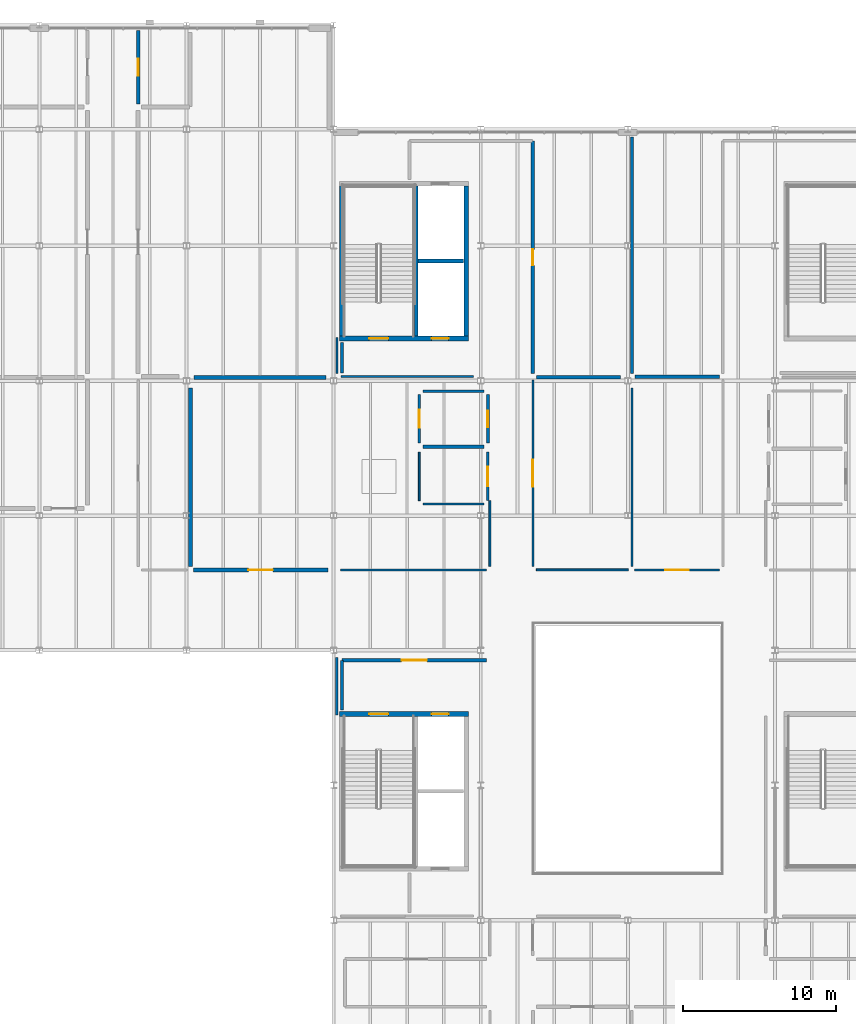
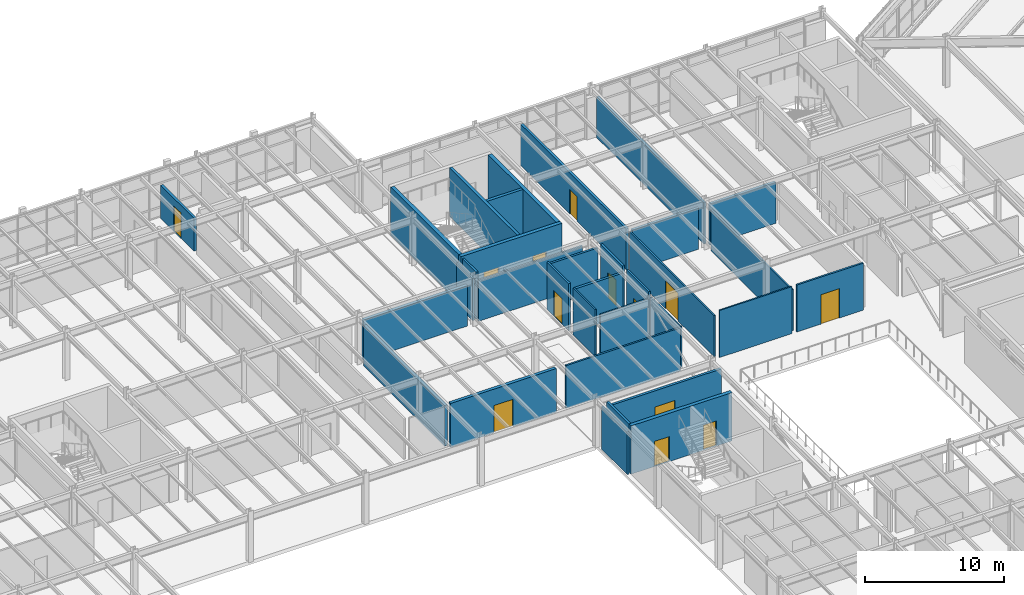
# One storey, part 60 of 77: 33 walls, 13 doors, 13 openings.
"""IFC4 building model written with IfcOpenShell, lengths in metres."""

import ifcopenshell
import ifcopenshell.guid

model = None  # the IFC model being written
_history = None  # IfcOwnerHistory: only IFC2X3 demands one
_inside = {}  # id of a spatial element -> (the spatial element, [elements in it])
_under = {}  # id of a project, library or spatial element -> (it, [spatial elements below it])
_declared = {}  # id of a project -> (the project, [libraries it declares])
_typed = {}  # id of a type object -> (the type object, [elements of that type])
_made_of = {}  # id of a material, layer set ... -> (it, [elements and type objects made of it])


def new_model(schema):
    """Start an empty IFC model of exactly this schema.

    Asked for "IFC4X3", IfcOpenShell would pick the latest addendum, in which some entities
    have other attributes; the version numbers below select the first issue.
    IFC2X3 requires an IfcOwnerHistory on every rooted entity: one is made here for all.
    """
    global model, _history
    if schema == "IFC4X3":
        model = ifcopenshell.file(schema_version=(4, 3, 0, 0))
    else:
        model = ifcopenshell.file(schema=schema)
    _inside.clear()
    _under.clear()
    _declared.clear()
    _typed.clear()
    _made_of.clear()
    _history = None
    if model.schema == "IFC2X3":
        org = make("IfcOrganization", Name="unknown")
        user = make(
            "IfcPersonAndOrganization",
            ThePerson=make("IfcPerson", FamilyName="unknown"),
            TheOrganization=org,
        )
        app = make(
            "IfcApplication",
            ApplicationDeveloper=org,
            Version="unknown",
            ApplicationFullName="unknown",
            ApplicationIdentifier="unknown",
        )
        _history = make(
            "IfcOwnerHistory",
            OwningUser=user,
            OwningApplication=app,
            ChangeAction="ADDED",
            CreationDate=0,
        )
    return model


def make(cls, **values):
    """One entity of the class cls with the attributes given. An attribute that is None is left unset."""
    return model.create_entity(
        cls, **{name: value for name, value in values.items() if value is not None}
    )


def rooted(cls, **values):
    """An entity with a GlobalId (a new one), such as an element, a storey or a relation."""
    return make(cls, GlobalId=ifcopenshell.guid.new(), OwnerHistory=_history, **values)


def si_unit(unit_type, name, prefix=None):
    """IfcSIUnit, for example si_unit("LENGTHUNIT", "METRE", prefix="MILLI")."""
    return make("IfcSIUnit", UnitType=unit_type, Prefix=prefix, Name=name)


def assignment(units):
    """IfcUnitAssignment: the units of a project."""
    return None if units is None else make("IfcUnitAssignment", Units=units)


def point(xyz):
    """IfcCartesianPoint."""
    return None if xyz is None else make("IfcCartesianPoint", Coordinates=xyz)


def direction(xyz):
    """IfcDirection."""
    return None if xyz is None else make("IfcDirection", DirectionRatios=xyz)


def frame(location, z_axis=None, x_axis=None):
    """IfcAxis2Placement3D, a coordinate frame: its origin and axes. An axis left out is left unset."""
    return make(
        "IfcAxis2Placement3D",
        Location=point(location),
        Axis=direction(z_axis),
        RefDirection=direction(x_axis),
    )


def frame_2d(location, x_axis=None):
    """IfcAxis2Placement2D, a coordinate frame in the plane: its origin and x axis."""
    return make(
        "IfcAxis2Placement2D", Location=point(location), RefDirection=direction(x_axis)
    )


def origin():
    """The frame at (0, 0, 0) with its axes left unset."""
    return frame((0.0, 0.0, 0.0))


def place(relative_to, where):
    """IfcLocalPlacement: puts the frame where relative to a parent placement (None: the world)."""
    return make(
        "IfcLocalPlacement", PlacementRelTo=relative_to, RelativePlacement=where
    )


def context(
    kind, dimensions, precision=None, world=None, true_north=None, identifier=None
):
    """IfcGeometricRepresentationContext, for example the 3D "Model" context."""
    return make(
        "IfcGeometricRepresentationContext",
        ContextIdentifier=identifier,
        ContextType=kind,
        CoordinateSpaceDimension=dimensions,
        Precision=precision,
        WorldCoordinateSystem=world,
        TrueNorth=true_north,
    )


def subcontext(parent, identifier, kind, view, scale=None):
    """IfcGeometricRepresentationSubContext, for example "Body" below "Model"."""
    return make(
        "IfcGeometricRepresentationSubContext",
        ContextIdentifier=identifier,
        ContextType=kind,
        ParentContext=parent,
        TargetScale=scale,
        TargetView=view,
    )


def project(units=None, contexts=None):
    """IfcProject with its units and contexts."""
    return rooted(
        "IfcProject",
        Name="project",
        RepresentationContexts=contexts,
        UnitsInContext=assignment(units),
    )


def spatial(cls, under=None, at=None, **own):
    """A site, building, storey or space (cls), placed at a placement, below another one or the project."""
    s = rooted(cls, ObjectPlacement=at, **own)
    if under is not None:
        _under.setdefault(under.id(), (under, []))[1].append(s)
    return s


def profile(cls, at=None, kind="AREA", **sizes):
    """A parametric profile (cls). Its sizes go by their IFC names, for example OverallWidth=200.0."""
    return make(cls, ProfileType=kind, Position=at, **sizes)


def rectangle(**sizes):
    """IfcRectangleProfileDef."""
    return profile("IfcRectangleProfileDef", **sizes)


def extrude(swept, where, along, depth):
    """IfcExtrudedAreaSolid: the profile swept, set in the frame where, extruded along a direction by depth."""
    return make(
        "IfcExtrudedAreaSolid",
        SweptArea=swept,
        Position=where,
        ExtrudedDirection=direction(along),
        Depth=depth,
    )


def shape(context_of_items, identifier, shape_type, items):
    """IfcShapeRepresentation: the items that make up one representation, for example the "Body"."""
    return make(
        "IfcShapeRepresentation",
        ContextOfItems=context_of_items,
        RepresentationIdentifier=identifier,
        RepresentationType=shape_type,
        Items=items,
    )


def material(Name=None, Category=None):
    """IfcMaterial."""
    return make("IfcMaterial", Name=Name, Category=Category)


def layer(
    of_material, thickness, ventilated=None, Name=None, Category=None, Priority=None
):
    """IfcMaterialLayer: one layer of a wall or slab, of a material (None: an air gap)."""
    return make(
        "IfcMaterialLayer",
        Material=of_material,
        LayerThickness=thickness,
        IsVentilated=ventilated,
        Name=Name,
        Category=Category,
        Priority=Priority,
    )


def layer_set(layers, Name=None):
    """IfcMaterialLayerSet."""
    return make("IfcMaterialLayerSet", MaterialLayers=layers, LayerSetName=Name)


def made_of(thing, what):
    """Note that an element or type object is made of a material, layer set ...; save() writes the relation."""
    if what is not None:
        _made_of.setdefault(what.id(), (what, []))[1].append(thing)
    return thing


def type_object(cls, material=None, **own):
    """A type object (cls), such as IfcWallType, which elements share."""
    return made_of(rooted(cls, **own), material)


def element(
    cls,
    number,
    at=None,
    inside=None,
    cuts=None,
    type_object=None,
    material=None,
    context=None,
    identifier="Body",
    shape_type=None,
    held_by="IfcProductDefinitionShape",
    body=None,
    shapes=None,
    **own,
):
    """One element of the class cls, such as IfcWall. Its Tag is "e" and its number.

    at: its placement. inside: the storey or other place that contains it. cuts: it is an
    opening in that element (IfcRelVoidsElement). A single representation is given by context,
    identifier, shape_type and body (its items); several are given by shapes. held_by: the class
    of the entity that holds the representations. save() writes the other relations.
    """
    e = rooted(cls, Tag="e%d" % number, ObjectPlacement=at, **own)
    if body is not None:
        shapes = [shape(context, identifier, shape_type, body)]
    if shapes is not None:
        e.Representation = make(held_by, Representations=shapes)
    if inside is not None:
        _inside.setdefault(inside.id(), (inside, []))[1].append(e)
    if cuts is not None:
        rooted(
            "IfcRelVoidsElement", RelatingBuildingElement=cuts, RelatedOpeningElement=e
        )
    if type_object is not None:
        _typed.setdefault(type_object.id(), (type_object, []))[1].append(e)
    return made_of(e, material)


def fill(opening, filler):
    """IfcRelFillsElement: the door or window that sits in an opening."""
    return rooted(
        "IfcRelFillsElement",
        RelatingOpeningElement=opening,
        RelatedBuildingElement=filler,
    )


def aggregate(whole, parts):
    """IfcRelAggregates: a whole, such as a stair, and the parts it consists of."""
    return rooted("IfcRelAggregates", RelatingObject=whole, RelatedObjects=parts)


def save(model, path):
    """Write the relations noted so far, then the file.

    IfcRelAggregates (storeys below a building ...), IfcRelContainedInSpatialStructure (elements
    in a storey), IfcRelDefinesByType, IfcRelAssociatesMaterial and IfcRelDeclares: one each for
    every whole, place, type object, material and project.
    """
    for whole, parts in _under.values():
        aggregate(whole, parts)
    for where, things in _inside.values():
        rooted(
            "IfcRelContainedInSpatialStructure",
            RelatedElements=things,
            RelatingStructure=where,
        )
    for kind, things in _typed.values():
        rooted("IfcRelDefinesByType", RelatedObjects=things, RelatingType=kind)
    for what, things in _made_of.values():
        rooted("IfcRelAssociatesMaterial", RelatedObjects=things, RelatingMaterial=what)
    for by, libraries in _declared.values():
        rooted("IfcRelDeclares", RelatingContext=by, RelatedDefinitions=libraries)
    model.write(path)


model = new_model("IFC4")

# Units and contexts
model_context = context("Model", 3, precision=1e-05, world=origin(), true_north=direction((0.0, 1.0)))
body_context = subcontext(model_context, "Body", "Model", "MODEL_VIEW")
ifc_project = project(units=[si_unit("LENGTHUNIT", "METRE"), si_unit("AREAUNIT", "SQUARE_METRE"), si_unit("VOLUMEUNIT", "CUBIC_METRE"), si_unit("PLANEANGLEUNIT", "RADIAN"), si_unit("MASSUNIT", "GRAM", prefix="KILO")], contexts=[model_context])

# Site, building, storey
site_placement = place(None, origin())
site = spatial("IfcSite", under=ifc_project, at=site_placement, CompositionType="ELEMENT")
building_placement = place(site_placement, origin())
building = spatial("IfcBuilding", under=site, at=building_placement, Name="Sarnbrook Museum", CompositionType="ELEMENT")
storey_placement = place(building_placement, frame((0.0, 0.0, 5.60009765625)))
storey = spatial("IfcBuildingStorey", under=building, at=storey_placement, Name="L01", CompositionType="ELEMENT", Elevation=5.60009765625)

# Wall, openings, doors
ifc_material_1 = material(Name="Concrete N50 (AS 3600, f'c = 50 MPa)", Category="concrete")
ifc_layer_1 = layer(ifc_material_1, 0.300048828125)
ifc_layer_set_1 = layer_set([ifc_layer_1], Name="Concrete N50 (AS 3600, f'c = 50 MPa)")
wall_type_1 = type_object("IfcWallType", Name="CoreWall_CWRC", PredefinedType="SHEAR", material=ifc_layer_set_1)
wall_1_placement = place(storey_placement, frame((89.60009765625, 70.25, 0.0), z_axis=(0.0, 0.0, 1.0), x_axis=(-1.0, 0.0, 0.0)))
wall_1 = element("IfcWall", 1, at=wall_1_placement, inside=storey, type_object=wall_type_1, Name="Core C3 Shear Wall N L01", PredefinedType="SHEAR", context=body_context, shape_type="SweptSolid", body=[
    extrude(rectangle(XDim=8.400146484375, YDim=0.300048828125, at=frame_2d((4.2001953125, 0.0))), origin(), (0.0, 0.0, 1.0), 4.244873046875),
])
opening_1_placement = place(wall_1_placement, frame((5.22509765625, 0.0, 0.0)))
opening_1 = element("IfcOpeningElement", 2, at=opening_1_placement, cuts=wall_1, Name="Opening D-ST-ST3-L01", PredefinedType="OPENING", context=body_context, shape_type="SweptSolid", body=[
    extrude(rectangle(XDim=1.25, YDim=2.199951171875, at=frame_2d((0.625, 1.10009765625))), frame((0.0, 0.16015625, 0.0), z_axis=(0.0, -1.0, 0.0), x_axis=(1.0, 0.0, 0.0)), (0.0, 0.0, 1.0), 0.320068359375),
])
opening_2_placement = place(wall_1_placement, frame((1.300048828125, 0.0, 0.0)))
opening_2 = element("IfcOpeningElement", 3, at=opening_2_placement, cuts=wall_1, Name="Opening LD-PL2-L01", PredefinedType="OPENING", context=body_context, shape_type="SweptSolid", body=[
    extrude(rectangle(XDim=1.10009765625, YDim=2.199951171875, at=frame_2d((0.550048828125, 1.10009765625))), frame((0.0, 0.16015625, 0.0), z_axis=(0.0, -1.0, 0.0), x_axis=(1.0, 0.0, 0.0)), (0.0, 0.0, 1.0), 0.320068359375),
])
ifc_material_2 = material(Name="Tasmanian Oak Acoustic Timber", Category="wood")
door_type_1 = type_object("IfcDoorType", Name="FireDoor_FD120", OperationType="NOTDEFINED", PredefinedType="DOOR", material=ifc_material_2)
door_1_placement = place(opening_1_placement, origin())
door_1 = element("IfcDoor", 4, at=door_1_placement, inside=storey, type_object=door_type_1, Name="Exit Stair ST3 Fire Door L01", OperationType="SINGLE_SWING_LEFT", OverallHeight=2.199951171875, OverallWidth=1.25, PredefinedType="DOOR", context=body_context, shape_type="SweptSolid", body=[
    extrude(rectangle(XDim=1.25, YDim=2.199951171875, at=frame_2d((0.625, 1.10009765625))), frame((0.0, 0.02490234375, 0.0), z_axis=(0.0, -1.0, 0.0), x_axis=(1.0, 0.0, 0.0)), (0.0, 0.0, 1.0), 0.050048828125),
])
fill(opening_1, door_1)
ifc_material_3 = material(Name="Brushed Stainless Steel Grade 316", Category="steel")
door_type_2 = type_object("IfcDoorType", Name="LiftDoor_Pax110", OperationType="DOUBLE_DOOR_SLIDING", PredefinedType="DOOR", material=ifc_material_3)
door_2_placement = place(opening_2_placement, origin())
door_2 = element("IfcDoor", 5, at=door_2_placement, inside=storey, type_object=door_type_2, Name="Lift Landing Sliding Door LD-PL2-L01", OperationType="DOUBLE_DOOR_SLIDING", OverallHeight=2.199951171875, OverallWidth=1.10009765625, PredefinedType="DOOR", context=body_context, shape_type="SweptSolid", body=[
    extrude(rectangle(XDim=1.10009765625, YDim=2.199951171875, at=frame_2d((0.550048828125, 1.10009765625))), frame((0.0, 0.02490234375, 0.0), z_axis=(0.0, -1.0, 0.0), x_axis=(1.0, 0.0, 0.0)), (0.0, 0.0, 1.0), 0.050048828125),
])
fill(opening_2, door_2)

wall_2_placement = place(storey_placement, frame((81.199951171875, 94.75, 0.0), z_axis=(0.0, 0.0, 1.0), x_axis=(1.0, 0.0, 0.0)))
wall_2 = element("IfcWall", 6, at=wall_2_placement, inside=storey, type_object=wall_type_1, Name="Core C4 Shear Wall S L01", PredefinedType="SHEAR", context=body_context, shape_type="SweptSolid", body=[
    extrude(rectangle(XDim=8.400146484375, YDim=0.300048828125, at=frame_2d((4.2001953125, 0.0))), origin(), (0.0, 0.0, 1.0), 4.244873046875),
])
opening_3_placement = place(wall_2_placement, frame((1.925048828125, 0.0, 0.0)))
opening_3 = element("IfcOpeningElement", 7, at=opening_3_placement, cuts=wall_2, Name="Opening D-ST-ST4-L01", PredefinedType="OPENING", context=body_context, shape_type="SweptSolid", body=[
    extrude(rectangle(XDim=1.25, YDim=2.199951171875, at=frame_2d((0.625, 1.10009765625))), frame((0.0, 0.16015625, 0.0), z_axis=(0.0, -1.0, 0.0), x_axis=(1.0, 0.0, 0.0)), (0.0, 0.0, 1.0), 0.320068359375),
])
opening_4_placement = place(wall_2_placement, frame((6.0, 0.0, 0.0)))
opening_4 = element("IfcOpeningElement", 8, at=opening_4_placement, cuts=wall_2, Name="Opening LD-PL3-L01", PredefinedType="OPENING", context=body_context, shape_type="SweptSolid", body=[
    extrude(rectangle(XDim=1.10009765625, YDim=2.199951171875, at=frame_2d((0.550048828125, 1.10009765625))), frame((0.0, 0.16015625, 0.0), z_axis=(0.0, -1.0, 0.0), x_axis=(1.0, 0.0, 0.0)), (0.0, 0.0, 1.0), 0.320068359375),
])
door_3_placement = place(opening_3_placement, origin())
door_3 = element("IfcDoor", 9, at=door_3_placement, inside=storey, type_object=door_type_1, Name="Exit Stair ST4 Fire Door L01", OperationType="SINGLE_SWING_RIGHT", OverallHeight=2.199951171875, OverallWidth=1.25, PredefinedType="DOOR", context=body_context, shape_type="SweptSolid", body=[
    extrude(rectangle(XDim=1.25, YDim=2.199951171875, at=frame_2d((0.625, 1.10009765625))), frame((0.0, 0.02490234375, 0.0), z_axis=(0.0, -1.0, 0.0), x_axis=(1.0, 0.0, 0.0)), (0.0, 0.0, 1.0), 0.050048828125),
])
fill(opening_3, door_3)
door_4_placement = place(opening_4_placement, origin())
door_4 = element("IfcDoor", 10, at=door_4_placement, inside=storey, type_object=door_type_2, Name="Lift Landing Sliding Door LD-PL3-L01", OperationType="DOUBLE_DOOR_SLIDING", OverallHeight=2.199951171875, OverallWidth=1.10009765625, PredefinedType="DOOR", context=body_context, shape_type="SweptSolid", body=[
    extrude(rectangle(XDim=1.10009765625, YDim=2.199951171875, at=frame_2d((0.550048828125, 1.10009765625))), frame((0.0, 0.02490234375, 0.0), z_axis=(0.0, -1.0, 0.0), x_axis=(1.0, 0.0, 0.0)), (0.0, 0.0, 1.0), 0.050048828125),
])
fill(opening_4, door_4)

# Walls
for number, where, z_axis, x_axis, name in (
    (11, (89.449951171875, 94.909912109375, 0.0), (0.0, 0.0, 1.0), (0.0, 1.0, 0.0), "Core C4 Shear Wall E L01"),
    (12, (81.35009765625, 104.68994140625, 0.0), (0.0, 0.0, 1.0), (0.0, -1.0, 0.0), "Core C4 Shear Wall W L01"),
):
    element("IfcWall", number, at=place(storey_placement, frame(where, z_axis=z_axis, x_axis=x_axis)), inside=storey, type_object=wall_type_1, Name=name, PredefinedType="SHEAR", context=body_context, shape_type="SweptSolid", body=[
        extrude(rectangle(XDim=9.780029296875, YDim=0.300048828125, at=frame_2d((4.89013671875, 0.0))), origin(), (0.0, 0.0, 1.0), 4.244873046875),
    ])

# Wall, opening, door
ifc_material_4 = material(Name="Concrete N40 (AS 3600, f'c = 40 MPa)", Category="concrete")
ifc_layer_2 = layer(ifc_material_4, 0.260009765625)
ifc_layer_set_2 = layer_set([ifc_layer_2], Name="Concrete N40 (AS 3600, f'c = 40 MPa)")
wall_type_2 = type_object("IfcWallType", Name="FireWall_FW240", PredefinedType="SOLIDWALL", material=ifc_layer_set_2)
wall_3_placement = place(storey_placement, frame((80.43994140625, 79.64990234375, 0.0), z_axis=(0.0, 0.0, 1.0), x_axis=(-1.0, 0.0, 0.0)))
wall_3 = element("IfcWall", 13, at=wall_3_placement, inside=storey, type_object=wall_type_2, Name="Interior Partition Wall L01-0407", PredefinedType="SOLIDWALL", context=body_context, shape_type="SweptSolid", body=[
    extrude(rectangle(XDim=8.7900390625, YDim=0.260009765625, at=frame_2d((4.39501953125, 0.0))), origin(), (0.0, 0.0, 1.0), 3.845947265625),
])
opening_5_placement = place(wall_3_placement, frame((3.594970703125, 0.0, 0.0)))
opening_5 = element("IfcOpeningElement", 14, at=opening_5_placement, cuts=wall_3, Name="Opening D-L01-131", PredefinedType="OPENING", context=body_context, shape_type="SweptSolid", body=[
    extrude(rectangle(XDim=1.60009765625, YDim=2.39990234375, at=frame_2d((0.800048828125, 1.199951171875))), frame((0.0, 0.14013671875, 0.0), z_axis=(0.0, -1.0, 0.0), x_axis=(1.0, 0.0, 0.0)), (0.0, 0.0, 1.0), 0.280029296875),
])
ifc_material_5 = material(Name="Patinated Architectural Bronze")
door_type_3 = type_object("IfcDoorType", Name="FireDoor_FD240", OperationType="NOTDEFINED", PredefinedType="DOOR", material=ifc_material_5)
door_5_placement = place(opening_5_placement, origin())
door_5 = element("IfcDoor", 15, at=door_5_placement, inside=storey, type_object=door_type_3, Name="Collection Archive Vault L01-39 Door D-L01-131", OperationType="DOUBLE_DOOR_SINGLE_SWING", OverallHeight=2.39990234375, OverallWidth=1.60009765625, PredefinedType="DOOR", context=body_context, shape_type="SweptSolid", body=[
    extrude(rectangle(XDim=1.60009765625, YDim=2.39990234375, at=frame_2d((0.800048828125, 1.199951171875))), frame((0.0, 0.02490234375, 0.0), z_axis=(0.0, -1.0, 0.0), x_axis=(1.0, 0.0, 0.0)), (0.0, 0.0, 1.0), 0.050048828125),
])
fill(opening_5, door_5)

# Walls
wall_4_placement = place(storey_placement, frame((71.4599609375, 91.52001953125, 0.0), z_axis=(0.0, 0.0, 1.0), x_axis=(0.0, -1.0, 0.0)))
element("IfcWall", 16, at=wall_4_placement, inside=storey, type_object=wall_type_2, Name="Interior Partition Wall L01-0445", PredefinedType="SOLIDWALL", context=body_context, shape_type="SweptSolid", body=[
    extrude(rectangle(XDim=11.64013671875, YDim=0.260009765625, at=frame_2d((5.820068359375, 0.0))), origin(), (0.0, 0.0, 1.0), 3.54296875),
])
wall_5_placement = place(storey_placement, frame((80.320068359375, 92.219970703125, 0.0), z_axis=(0.0, 0.0, 1.0), x_axis=(-1.0, 0.0, 0.0)))
element("IfcWall", 17, at=wall_5_placement, inside=storey, type_object=wall_type_2, Name="Interior Partition Wall L01-0448", PredefinedType="SOLIDWALL", context=body_context, shape_type="SweptSolid", body=[
    extrude(rectangle(XDim=8.64013671875, YDim=0.260009765625, at=frame_2d((4.320068359375, 0.0))), origin(), (0.0, 0.0, 1.0), 3.54296875),
])
ifc_material_6 = material(Name="Fire-Rated Acoustic Gypsum Plasterboard")
ifc_layer_3 = layer(ifc_material_6, 0.1201171875)
ifc_layer_set_3 = layer_set([ifc_layer_3], Name="Fire-Rated Acoustic Gypsum Plasterboard")
wall_type_3 = type_object("IfcWallType", Name="PartWall_P120", PredefinedType="PARTITIONING", material=ifc_layer_set_3)
wall_6_placement = place(storey_placement, frame((86.389892578125, 84.169921875, 0.0), z_axis=(0.0, 0.0, 1.0), x_axis=(0.0, 1.0, 0.0)))
element("IfcWall", 18, at=wall_6_placement, inside=storey, type_object=wall_type_3, Name="Interior Partition Wall L01-0307", PredefinedType="PARTITIONING", context=body_context, shape_type="SweptSolid", body=[
    extrude(rectangle(XDim=3.16015625, YDim=0.1201171875, at=frame_2d((1.580078125, 0.0))), origin(), (0.0, 0.0, 1.0), 4.1298828125),
])
wall_7_placement = place(storey_placement, frame((91.0, 84.169921875, 0.0), z_axis=(0.0, 0.0, 1.0), x_axis=(0.0, -1.0, 0.0)))
element("IfcWall", 19, at=wall_7_placement, inside=storey, type_object=wall_type_3, Name="Interior Partition Wall L01-0335", PredefinedType="PARTITIONING", context=body_context, shape_type="SweptSolid", body=[
    extrude(rectangle(XDim=4.2900390625, YDim=0.1201171875, at=frame_2d((2.14501953125, 0.0))), origin(), (0.0, 0.0, 1.0), 3.61279296875),
])
wall_8_placement = place(storey_placement, frame((100.030029296875, 79.64990234375, 0.0), z_axis=(0.0, 0.0, 1.0), x_axis=(-1.0, 0.0, 0.0)))
element("IfcWall", 20, at=wall_8_placement, inside=storey, type_object=wall_type_3, Name="Interior Partition Wall L01-0349", PredefinedType="PARTITIONING", context=body_context, shape_type="SweptSolid", body=[
    extrude(rectangle(XDim=6.0, YDim=0.1201171875, at=frame_2d((3.0, 0.0))), origin(), (0.0, 0.0, 1.0), 4.1298828125),
])
ifc_layer_4 = layer(ifc_material_6, 0.135009765625)
ifc_layer_set_4 = layer_set([ifc_layer_4], Name="Fire-Rated Acoustic Gypsum Plasterboard")
wall_type_4 = type_object("IfcWallType", Name="PartWall_P135", PredefinedType="PARTITIONING", material=ifc_layer_set_4)
wall_9_placement = place(storey_placement, frame((90.6298828125, 83.93994140625, 0.0), z_axis=(0.0, 0.0, 1.0), x_axis=(-1.0, 0.0, 0.0)))
element("IfcWall", 21, at=wall_9_placement, inside=storey, type_object=wall_type_4, Name="Interior Partition Wall L01-0306", PredefinedType="PARTITIONING", context=body_context, shape_type="SweptSolid", body=[
    extrude(rectangle(XDim=4.009765625, YDim=0.135009765625, at=frame_2d((2.0048828125, 0.0))), origin(), (0.0, 0.0, 1.0), 3.762939453125),
])
wall_10_placement = place(storey_placement, frame((81.280029296875, 92.260009765625, 0.0), z_axis=(0.0, 0.0, 1.0), x_axis=(1.0, 0.0, 0.0)))
element("IfcWall", 22, at=wall_10_placement, inside=storey, type_object=wall_type_4, Name="Interior Partition Wall L01-0334", PredefinedType="PARTITIONING", context=body_context, shape_type="SweptSolid", body=[
    extrude(rectangle(XDim=8.639892578125, YDim=0.135009765625, at=frame_2d((4.31982421875, 0.0))), origin(), (0.0, 0.0, 1.0), 3.61279296875),
])

# Wall, opening, door
wall_11_placement = place(storey_placement, frame((93.800048828125, 79.8798828125, 0.0), z_axis=(0.0, 0.0, 1.0), x_axis=(0.0, 1.0, 0.0)))
wall_11 = element("IfcWall", 23, at=wall_11_placement, inside=storey, type_object=wall_type_4, Name="Interior Partition Wall L01-0348", PredefinedType="PARTITIONING", context=body_context, shape_type="SweptSolid", body=[
    extrude(rectangle(XDim=12.150146484375, YDim=0.135009765625, at=frame_2d((6.0751953125, 0.0))), origin(), (0.0, 0.0, 1.0), 3.61279296875),
])
opening_6_placement = place(wall_11_placement, frame((5.18505859375, 0.0, 0.0)))
opening_6 = element("IfcOpeningElement", 24, at=opening_6_placement, cuts=wall_11, Name="Opening D-L01-107", PredefinedType="OPENING", context=body_context, shape_type="SweptSolid", body=[
    extrude(rectangle(XDim=1.780029296875, YDim=2.4599609375, at=frame_2d((0.89013671875, 1.22998046875))), frame((0.0, 0.07763671875, 0.0), z_axis=(0.0, -1.0, 0.0), x_axis=(1.0, 0.0, 0.0)), (0.0, 0.0, 1.0), 0.155029296875),
])
door_type_4 = type_object("IfcDoorType", Name="IntDoor_DT31", OperationType="NOTDEFINED", PredefinedType="DOOR", material=ifc_material_2)
door_6_placement = place(opening_6_placement, origin())
door_6 = element("IfcDoor", 25, at=door_6_placement, inside=storey, type_object=door_type_4, Name="Digital Natural History Studio L01-14 Door D-L01-107", OperationType="DOUBLE_DOOR_SINGLE_SWING", OverallHeight=2.4599609375, OverallWidth=1.780029296875, PredefinedType="DOOR", context=body_context, shape_type="SweptSolid", body=[
    extrude(rectangle(XDim=1.780029296875, YDim=2.4599609375, at=frame_2d((0.89013671875, 1.22998046875))), frame((0.0, 0.02490234375, 0.0), z_axis=(0.0, -1.0, 0.0), x_axis=(1.0, 0.0, 0.0)), (0.0, 0.0, 1.0), 0.050048828125),
])
fill(opening_6, door_6)

# Wall
wall_12_placement = place(storey_placement, frame((100.260009765625, 91.52001953125, 0.0), z_axis=(0.0, 0.0, 1.0), x_axis=(0.0, -1.0, 0.0)))
element("IfcWall", 26, at=wall_12_placement, inside=storey, type_object=wall_type_4, Name="Interior Partition Wall L01-0432", PredefinedType="PARTITIONING", context=body_context, shape_type="SweptSolid", body=[
    extrude(rectangle(XDim=11.64013671875, YDim=0.135009765625, at=frame_2d((5.820068359375, 0.0))), origin(), (0.0, 0.0, 1.0), 3.61279296875),
])

# Wall, opening, door
ifc_layer_5 = layer(ifc_material_6, 0.14990234375)
ifc_layer_set_5 = layer_set([ifc_layer_5], Name="Fire-Rated Acoustic Gypsum Plasterboard")
wall_type_5 = type_object("IfcWallType", Name="PartWall_P150", PredefinedType="PARTITIONING", material=ifc_layer_set_5)
wall_13_placement = place(storey_placement, frame((90.860107421875, 87.330078125, 0.0), z_axis=(0.0, 0.0, 1.0), x_axis=(0.0, -1.0, 0.0)))
wall_13 = element("IfcWall", 27, at=wall_13_placement, inside=storey, type_object=wall_type_5, Name="Interior Partition Wall L01-0305", PredefinedType="PARTITIONING", context=body_context, shape_type="SweptSolid", body=[
    extrude(rectangle(XDim=3.16015625, YDim=0.14990234375, at=frame_2d((1.580078125, 0.0))), origin(), (0.0, 0.0, 1.0), 4.1298828125),
])
opening_7_placement = place(wall_13_placement, frame((0.93994140625, 0.0, 0.0)))
opening_7 = element("IfcOpeningElement", 28, at=opening_7_placement, cuts=wall_13, Name="Opening D-L01-094", PredefinedType="OPENING", context=body_context, shape_type="SweptSolid", body=[
    extrude(rectangle(XDim=1.280029296875, YDim=2.239990234375, at=frame_2d((0.64013671875, 1.1201171875))), frame((0.0, 0.0849609375, 0.0), z_axis=(0.0, -1.0, 0.0), x_axis=(1.0, 0.0, 0.0)), (0.0, 0.0, 1.0), 0.169921875),
])
door_type_5 = type_object("IfcDoorType", Name="IntDoor_DT18", OperationType="NOTDEFINED", PredefinedType="DOOR", material=ifc_material_2)
door_7_placement = place(opening_7_placement, frame((1.280029296875, 0.0, 0.0), z_axis=(0.0, 0.0, 1.0), x_axis=(-1.0, 0.0, 0.0)))
door_7 = element("IfcDoor", 29, at=door_7_placement, inside=storey, type_object=door_type_5, Name="Curatorial Staff Toilet L01 Door D-L01-094", OperationType="SINGLE_SWING_RIGHT", OverallHeight=2.239990234375, OverallWidth=1.280029296875, PredefinedType="DOOR", context=body_context, shape_type="SweptSolid", body=[
    extrude(rectangle(XDim=1.280029296875, YDim=2.239990234375, at=frame_2d((0.64013671875, 1.1201171875))), frame((0.0, 0.02490234375, 0.0), z_axis=(0.0, -1.0, 0.0), x_axis=(1.0, 0.0, 0.0)), (0.0, 0.0, 1.0), 0.050048828125),
])
fill(opening_7, door_7)

# Walls
wall_14_placement = place(storey_placement, frame((90.77001953125, 79.64990234375, 0.0), z_axis=(0.0, 0.0, 1.0), x_axis=(-1.0, 0.0, 0.0)))
element("IfcWall", 30, at=wall_14_placement, inside=storey, type_object=wall_type_5, Name="Interior Partition Wall L01-0333", PredefinedType="PARTITIONING", context=body_context, shape_type="SweptSolid", body=[
    extrude(rectangle(XDim=9.52001953125, YDim=0.14990234375, at=frame_2d((4.760009765625, 0.0))), origin(), (0.0, 0.0, 1.0), 3.762939453125),
])
wall_15_placement = place(storey_placement, frame((81.02001953125, 92.47998046875, 0.0), z_axis=(0.0, 0.0, 1.0), x_axis=(0.0, 1.0, 0.0)))
element("IfcWall", 31, at=wall_15_placement, inside=storey, type_object=wall_type_5, Name="Interior Partition Wall L01-0340", PredefinedType="PARTITIONING", context=body_context, shape_type="SweptSolid", body=[
    extrude(rectangle(XDim=2.320068359375, YDim=0.14990234375, at=frame_2d((1.16015625, 0.0))), origin(), (0.0, 0.0, 1.0), 3.69287109375),
])

# Wall, opening, door
wall_16_placement = place(storey_placement, frame((105.969970703125, 79.64990234375, 0.0), z_axis=(0.0, 0.0, 1.0), x_axis=(-1.0, 0.0, 0.0)))
wall_16 = element("IfcWall", 32, at=wall_16_placement, inside=storey, type_object=wall_type_5, Name="Interior Partition Wall L01-0354", PredefinedType="PARTITIONING", context=body_context, shape_type="SweptSolid", body=[
    extrude(rectangle(XDim=5.52001953125, YDim=0.14990234375, at=frame_2d((2.760009765625, 0.0))), origin(), (0.0, 0.0, 1.0), 4.1298828125),
])
opening_8_placement = place(wall_16_placement, frame((1.985107421875, 0.0, 0.0)))
opening_8 = element("IfcOpeningElement", 33, at=opening_8_placement, cuts=wall_16, Name="Opening D-L01-110", PredefinedType="OPENING", context=body_context, shape_type="SweptSolid", body=[
    extrude(rectangle(XDim=1.550048828125, YDim=2.580078125, at=frame_2d((0.77490234375, 1.2900390625))), frame((0.0, 0.0849609375, 0.0), z_axis=(0.0, -1.0, 0.0), x_axis=(1.0, 0.0, 0.0)), (0.0, 0.0, 1.0), 0.169921875),
])
door_type_6 = type_object("IfcDoorType", Name="IntDoor_DT34", OperationType="NOTDEFINED", PredefinedType="DOOR", material=ifc_material_2)
door_8_placement = place(opening_8_placement, origin())
door_8 = element("IfcDoor", 34, at=door_8_placement, inside=storey, type_object=door_type_6, Name="Auditorium Upper Balcony & Projection L01-17 Door D-L01-110", OperationType="SINGLE_SWING_LEFT", OverallHeight=2.580078125, OverallWidth=1.550048828125, PredefinedType="DOOR", context=body_context, shape_type="SweptSolid", body=[
    extrude(rectangle(XDim=1.550048828125, YDim=2.580078125, at=frame_2d((0.77490234375, 1.2900390625))), frame((0.0, 0.02490234375, 0.0), z_axis=(0.0, -1.0, 0.0), x_axis=(1.0, 0.0, 0.0)), (0.0, 0.0, 1.0), 0.050048828125),
])
fill(opening_8, door_8)

ifc_layer_6 = layer(ifc_material_6, 0.1650390625)
ifc_layer_set_6 = layer_set([ifc_layer_6], Name="Fire-Rated Acoustic Gypsum Plasterboard")
wall_type_6 = type_object("IfcWallType", Name="PartWall_P165", PredefinedType="PARTITIONING", material=ifc_layer_set_6)
wall_17_placement = place(storey_placement, frame((86.389892578125, 87.919921875, 0.0), z_axis=(0.0, 0.0, 1.0), x_axis=(0.0, 1.0, 0.0)))
wall_17 = element("IfcWall", 35, at=wall_17_placement, inside=storey, type_object=wall_type_6, Name="Interior Partition Wall L01-0304", PredefinedType="PARTITIONING", context=body_context, shape_type="SweptSolid", body=[
    extrude(rectangle(XDim=3.16015625, YDim=0.1650390625, at=frame_2d((1.580078125, 0.0))), origin(), (0.0, 0.0, 1.0), 4.1298828125),
])
opening_9_placement = place(wall_17_placement, frame((0.989990234375, 0.0, 0.0)))
opening_9 = element("IfcOpeningElement", 36, at=opening_9_placement, cuts=wall_17, Name="Opening D-L01-093", PredefinedType="OPENING", context=body_context, shape_type="SweptSolid", body=[
    extrude(rectangle(XDim=1.179931640625, YDim=2.239990234375, at=frame_2d((0.58984375, 1.1201171875))), frame((0.0, 0.092529296875, 0.0), z_axis=(0.0, -1.0, 0.0), x_axis=(1.0, 0.0, 0.0)), (0.0, 0.0, 1.0), 0.18505859375),
])
door_type_7 = type_object("IfcDoorType", Name="IntDoor_DT17", OperationType="NOTDEFINED", PredefinedType="DOOR", material=ifc_material_2)
door_9_placement = place(opening_9_placement, frame((1.179931640625, 0.0, 0.0), z_axis=(0.0, 0.0, 1.0), x_axis=(-1.0, 0.0, 0.0)))
door_9 = element("IfcDoor", 37, at=door_9_placement, inside=storey, type_object=door_type_7, Name="Southern Ocean Specimen Hall L01-9 Door D-L01-093", OperationType="SINGLE_SWING_LEFT", OverallHeight=2.239990234375, OverallWidth=1.179931640625, PredefinedType="DOOR", context=body_context, shape_type="SweptSolid", body=[
    extrude(rectangle(XDim=1.179931640625, YDim=2.239990234375, at=frame_2d((0.58984375, 1.1201171875))), frame((0.0, 0.02490234375, 0.0), z_axis=(0.0, -1.0, 0.0), x_axis=(1.0, 0.0, 0.0)), (0.0, 0.0, 1.0), 0.050048828125),
])
fill(opening_9, door_9)

# Walls
wall_18_placement = place(storey_placement, frame((81.02001953125, 70.199951171875, 0.0), z_axis=(0.0, 0.0, 1.0), x_axis=(0.0, 1.0, 0.0)))
element("IfcWall", 38, at=wall_18_placement, inside=storey, type_object=wall_type_6, Name="Interior Partition Wall L01-0332", PredefinedType="PARTITIONING", context=body_context, shape_type="SweptSolid", body=[
    extrude(rectangle(XDim=3.719970703125, YDim=0.1650390625, at=frame_2d((1.85986328125, 0.0))), origin(), (0.0, 0.0, 1.0), 3.762939453125),
])
wall_19_placement = place(storey_placement, frame((81.35009765625, 94.47998046875, 0.0), z_axis=(0.0, 0.0, 1.0), x_axis=(0.0, -1.0, 0.0)))
element("IfcWall", 39, at=wall_19_placement, inside=storey, type_object=wall_type_6, Name="Interior Partition Wall L01-0339", PredefinedType="PARTITIONING", context=body_context, shape_type="SweptSolid", body=[
    extrude(rectangle(XDim=1.969970703125, YDim=0.1650390625, at=frame_2d((0.98486328125, 0.0))), origin(), (0.0, 0.0, 1.0), 4.1298828125),
])
ifc_layer_7 = layer(ifc_material_6, 0.179931640625)
ifc_layer_set_7 = layer_set([ifc_layer_7], Name="Fire-Rated Acoustic Gypsum Plasterboard")
wall_type_7 = type_object("IfcWallType", Name="PartWall_P180", PredefinedType="PARTITIONING", material=ifc_layer_set_7)
wall_20_placement = place(storey_placement, frame((86.6201171875, 91.31005859375, 0.0), z_axis=(0.0, 0.0, 1.0), x_axis=(1.0, 0.0, 0.0)))
element("IfcWall", 40, at=wall_20_placement, inside=storey, type_object=wall_type_7, Name="Interior Partition Wall L01-0303", PredefinedType="PARTITIONING", context=body_context, shape_type="SweptSolid", body=[
    extrude(rectangle(XDim=4.009765625, YDim=0.179931640625, at=frame_2d((2.0048828125, 0.0))), origin(), (0.0, 0.0, 1.0), 3.762939453125),
])

# Wall, opening, door
ifc_layer_8 = layer(ifc_material_6, 0.195068359375)
ifc_layer_set_8 = layer_set([ifc_layer_8], Name="Fire-Rated Acoustic Gypsum Plasterboard")
wall_type_8 = type_object("IfcWallType", Name="PartWall_P195", PredefinedType="PARTITIONING", material=ifc_layer_set_8)
wall_21_placement = place(storey_placement, frame((90.860107421875, 91.080078125, 0.0), z_axis=(0.0, 0.0, 1.0), x_axis=(0.0, -1.0, 0.0)))
wall_21 = element("IfcWall", 41, at=wall_21_placement, inside=storey, type_object=wall_type_8, Name="Interior Partition Wall L01-0302", PredefinedType="PARTITIONING", context=body_context, shape_type="SweptSolid", body=[
    extrude(rectangle(XDim=3.16015625, YDim=0.195068359375, at=frame_2d((1.580078125, 0.0))), origin(), (0.0, 0.0, 1.0), 4.1298828125),
])
opening_10_placement = place(wall_21_placement, frame((1.030029296875, 0.0, 0.0)))
opening_10 = element("IfcOpeningElement", 42, at=opening_10_placement, cuts=wall_21, Name="Opening D-L01-092", PredefinedType="OPENING", context=body_context, shape_type="SweptSolid", body=[
    extrude(rectangle(XDim=1.10009765625, YDim=2.239990234375, at=frame_2d((0.550048828125, 1.1201171875))), frame((0.0, 0.107421875, 0.0), z_axis=(0.0, -1.0, 0.0), x_axis=(1.0, 0.0, 0.0)), (0.0, 0.0, 1.0), 0.215087890625),
])
door_type_8 = type_object("IfcDoorType", Name="IntDoor_DT16", OperationType="NOTDEFINED", PredefinedType="DOOR", material=ifc_material_2)
door_10_placement = place(opening_10_placement, frame((1.10009765625, 0.0, 0.0), z_axis=(0.0, 0.0, 1.0), x_axis=(-1.0, 0.0, 0.0)))
door_10 = element("IfcDoor", 43, at=door_10_placement, inside=storey, type_object=door_type_8, Name="Accessible Unisex Toilet L01 Door D-L01-092", OperationType="SINGLE_SWING_RIGHT", OverallHeight=2.239990234375, OverallWidth=1.10009765625, PredefinedType="DOOR", context=body_context, shape_type="SweptSolid", body=[
    extrude(rectangle(XDim=1.10009765625, YDim=2.239990234375, at=frame_2d((0.550048828125, 1.1201171875))), frame((0.0, 0.02490234375, 0.0), z_axis=(0.0, -1.0, 0.0), x_axis=(1.0, 0.0, 0.0)), (0.0, 0.0, 1.0), 0.050048828125),
])
fill(opening_10, door_10)

# Walls
wall_22_placement = place(storey_placement, frame((81.35009765625, 73.739990234375, 0.0), z_axis=(0.0, 0.0, 1.0), x_axis=(0.0, -1.0, 0.0)))
element("IfcWall", 44, at=wall_22_placement, inside=storey, type_object=wall_type_8, Name="Interior Partition Wall L01-0330", PredefinedType="PARTITIONING", context=body_context, shape_type="SweptSolid", body=[
    extrude(rectangle(XDim=3.219970703125, YDim=0.195068359375, at=frame_2d((1.60986328125, 0.0))), origin(), (0.0, 0.0, 1.0), 4.1298828125),
])
wall_23_placement = place(storey_placement, frame((100.260009765625, 107.89990234375, 0.0), z_axis=(0.0, 0.0, 1.0), x_axis=(0.0, -1.0, 0.0)))
element("IfcWall", 45, at=wall_23_placement, inside=storey, type_object=wall_type_8, Name="Interior Partition Wall L01-0428", PredefinedType="PARTITIONING", context=body_context, shape_type="SweptSolid", body=[
    extrude(rectangle(XDim=15.419921875, YDim=0.195068359375, at=frame_2d((7.7099609375, 0.0))), origin(), (0.0, 0.0, 1.0), 3.61279296875),
])
ifc_layer_9 = layer(ifc_material_6, 0.2099609375)
ifc_layer_set_9 = layer_set([ifc_layer_9], Name="Fire-Rated Acoustic Gypsum Plasterboard")
wall_type_9 = type_object("IfcWallType", Name="PartWall_P210", PredefinedType="PARTITIONING", material=ifc_layer_set_9)
wall_24_placement = place(storey_placement, frame((90.6298828125, 87.68994140625, 0.0), z_axis=(0.0, 0.0, 1.0), x_axis=(-1.0, 0.0, 0.0)))
element("IfcWall", 46, at=wall_24_placement, inside=storey, type_object=wall_type_9, Name="Interior Partition Wall L01-0301", PredefinedType="PARTITIONING", context=body_context, shape_type="SweptSolid", body=[
    extrude(rectangle(XDim=4.009765625, YDim=0.2099609375, at=frame_2d((2.0048828125, 0.0))), origin(), (0.0, 0.0, 1.0), 3.762939453125),
])

# Wall, opening, door
wall_25_placement = place(storey_placement, frame((90.77001953125, 73.75, 0.0), z_axis=(0.0, 0.0, 1.0), x_axis=(-1.0, 0.0, 0.0)))
wall_25 = element("IfcWall", 47, at=wall_25_placement, inside=storey, type_object=wall_type_9, Name="Interior Partition Wall L01-0329", PredefinedType="PARTITIONING", context=body_context, shape_type="SweptSolid", body=[
    extrude(rectangle(XDim=9.409912109375, YDim=0.2099609375, at=frame_2d((4.705078125, 0.0))), origin(), (0.0, 0.0, 1.0), 3.762939453125),
])
opening_11_placement = place(wall_25_placement, frame((3.875, 0.0, 0.0)))
opening_11 = element("IfcOpeningElement", 48, at=opening_11_placement, cuts=wall_25, Name="Opening D-L01-102", PredefinedType="OPENING", context=body_context, shape_type="SweptSolid", body=[
    extrude(rectangle(XDim=1.659912109375, YDim=2.340087890625, at=frame_2d((0.830078125, 1.169921875))), frame((0.0, 0.114990234375, 0.0), z_axis=(0.0, -1.0, 0.0), x_axis=(1.0, 0.0, 0.0)), (0.0, 0.0, 1.0), 0.22998046875),
])
door_type_9 = type_object("IfcDoorType", Name="IntDoor_DT26", OperationType="NOTDEFINED", PredefinedType="DOOR", material=ifc_material_2)
door_11_placement = place(opening_11_placement, origin())
door_11 = element("IfcDoor", 49, at=door_11_placement, inside=storey, type_object=door_type_9, Name="Marine Biodiversity Gallery L01-8 Door D-L01-102", OperationType="DOUBLE_DOOR_SINGLE_SWING", OverallHeight=2.340087890625, OverallWidth=1.659912109375, PredefinedType="DOOR", context=body_context, shape_type="SweptSolid", body=[
    extrude(rectangle(XDim=1.659912109375, YDim=2.340087890625, at=frame_2d((0.830078125, 1.169921875))), frame((0.0, 0.02490234375, 0.0), z_axis=(0.0, -1.0, 0.0), x_axis=(1.0, 0.0, 0.0)), (0.0, 0.0, 1.0), 0.050048828125),
])
fill(opening_11, door_11)

wall_26_placement = place(storey_placement, frame((93.800048828125, 92.449951171875, 0.0), z_axis=(0.0, 0.0, 1.0), x_axis=(0.0, 1.0, 0.0)))
wall_26 = element("IfcWall", 50, at=wall_26_placement, inside=storey, type_object=wall_type_9, Name="Interior Partition Wall L01-0336", PredefinedType="PARTITIONING", context=body_context, shape_type="SweptSolid", body=[
    extrude(rectangle(XDim=15.18994140625, YDim=0.2099609375, at=frame_2d((7.594970703125, 0.0))), origin(), (0.0, 0.0, 1.0), 3.61279296875),
])
opening_12_placement = place(wall_26_placement, frame((7.070068359375, 0.0, 0.0)))
opening_12 = element("IfcOpeningElement", 51, at=opening_12_placement, cuts=wall_26, Name="Opening D-L01-103", PredefinedType="OPENING", context=body_context, shape_type="SweptSolid", body=[
    extrude(rectangle(XDim=1.050048828125, YDim=2.14990234375, at=frame_2d((0.52490234375, 1.074951171875))), frame((0.0, 0.114990234375, 0.0), z_axis=(0.0, -1.0, 0.0), x_axis=(1.0, 0.0, 0.0)), (0.0, 0.0, 1.0), 0.22998046875),
])
door_type_10 = type_object("IfcDoorType", Name="FireDoor_FD60", OperationType="NOTDEFINED", PredefinedType="DOOR", material=ifc_material_2)
door_12_placement = place(opening_12_placement, origin())
door_12 = element("IfcDoor", 52, at=door_12_placement, inside=storey, type_object=door_type_10, Name="Auditorium Upper Balcony & Projection L01-10 Door D-L01-103", OperationType="SINGLE_SWING_RIGHT", OverallHeight=2.14990234375, OverallWidth=1.050048828125, PredefinedType="DOOR", context=body_context, shape_type="SweptSolid", body=[
    extrude(rectangle(XDim=1.050048828125, YDim=2.14990234375, at=frame_2d((0.52490234375, 1.074951171875))), frame((0.0, 0.02490234375, 0.0), z_axis=(0.0, -1.0, 0.0), x_axis=(1.0, 0.0, 0.0)), (0.0, 0.0, 1.0), 0.050048828125),
])
fill(opening_12, door_12)

wall_27_placement = place(storey_placement, frame((68.050048828125, 110.050048828125, 0.0), z_axis=(0.0, 0.0, 1.0), x_axis=(0.0, 1.0, 0.0)))
wall_27 = element("IfcWall", 53, at=wall_27_placement, inside=storey, type_object=wall_type_9, Name="Interior Partition Wall L01-0406", PredefinedType="PARTITIONING", context=body_context, shape_type="SweptSolid", body=[
    extrude(rectangle(XDim=4.7900390625, YDim=0.2099609375, at=frame_2d((2.39501953125, 0.0))), origin(), (0.0, 0.0, 1.0), 2.89990234375),
])
opening_13_placement = place(wall_27_placement, frame((1.844970703125, 0.0, 0.0)))
opening_13 = element("IfcOpeningElement", 54, at=opening_13_placement, cuts=wall_27, Name="Opening D-L01-130", PredefinedType="OPENING", context=body_context, shape_type="SweptSolid", body=[
    extrude(rectangle(XDim=1.10009765625, YDim=2.239990234375, at=frame_2d((0.550048828125, 1.1201171875))), frame((0.0, 0.114990234375, 0.0), z_axis=(0.0, -1.0, 0.0), x_axis=(1.0, 0.0, 0.0)), (0.0, 0.0, 1.0), 0.22998046875),
])
door_13_placement = place(opening_13_placement, frame((1.10009765625, 0.0, 0.0), z_axis=(0.0, 0.0, 1.0), x_axis=(-1.0, 0.0, 0.0)))
door_13 = element("IfcDoor", 55, at=door_13_placement, inside=storey, type_object=door_type_8, Name="Conservation Science Laboratory L01-38 Door D-L01-130", OperationType="SINGLE_SWING_LEFT", OverallHeight=2.239990234375, OverallWidth=1.10009765625, PredefinedType="DOOR", context=body_context, shape_type="SweptSolid", body=[
    extrude(rectangle(XDim=1.10009765625, YDim=2.239990234375, at=frame_2d((0.550048828125, 1.1201171875))), frame((0.0, 0.02490234375, 0.0), z_axis=(0.0, -1.0, 0.0), x_axis=(1.0, 0.0, 0.0)), (0.0, 0.0, 1.0), 0.050048828125),
])
fill(opening_13, door_13)

# Walls
for number, where, z_axis, x_axis, name in (
    (56, (99.52001953125, 92.219970703125, 0.0), (0.0, 0.0, 1.0), (-1.0, 0.0, 0.0), "Interior Partition Wall L01-0427"),
    (57, (100.47998046875, 92.260009765625, 0.0), (0.0, 0.0, 1.0), (1.0, 0.0, 0.0), "Interior Partition Wall L01-0434"),
):
    element("IfcWall", number, at=place(storey_placement, frame(where, z_axis=z_axis, x_axis=x_axis)), inside=storey, type_object=wall_type_9, Name=name, PredefinedType="PARTITIONING", context=body_context, shape_type="SweptSolid", body=[
        extrude(rectangle(XDim=5.489990234375, YDim=0.2099609375, at=frame_2d((2.7451171875, 0.0))), origin(), (0.0, 0.0, 1.0), 3.61279296875),
    ])
ifc_layer_10 = layer(ifc_material_4, 0.239990234375)
ifc_layer_set_10 = layer_set([ifc_layer_10], Name="Concrete N40 (AS 3600, f'c = 40 MPa)")
wall_type_10 = type_object("IfcWallType", Name="ShaftWall_SWRC", PredefinedType="SOLIDWALL", material=ifc_layer_set_10)
wall_28_placement = place(storey_placement, frame((86.18994140625, 94.909912109375, 0.0), z_axis=(0.0, 0.0, 1.0), x_axis=(0.0, 1.0, 0.0)))
element("IfcWall", 58, at=wall_28_placement, inside=storey, type_object=wall_type_10, Name="Stairwell ST4 Fire Shaft Wall L01", PredefinedType="SOLIDWALL", context=body_context, shape_type="SweptSolid", body=[
    extrude(rectangle(XDim=9.780029296875, YDim=0.239990234375, at=frame_2d((4.89013671875, 0.0))), origin(), (0.0, 0.0, 1.0), 4.244873046875),
])
wall_29_placement = place(storey_placement, frame((86.320068359375, 99.800048828125, 0.0), z_axis=(0.0, 0.0, 1.0), x_axis=(1.0, 0.0, 0.0)))
element("IfcWall", 59, at=wall_29_placement, inside=storey, type_object=wall_type_10, Name="Core C4 Twin Lift Divider Wall L01", PredefinedType="SOLIDWALL", context=body_context, shape_type="SweptSolid", body=[
    extrude(rectangle(XDim=2.969970703125, YDim=0.239990234375, at=frame_2d((1.48486328125, 0.0))), origin(), (0.0, 0.0, 1.0), 4.244873046875),
])

save(model, "model.ifc")
